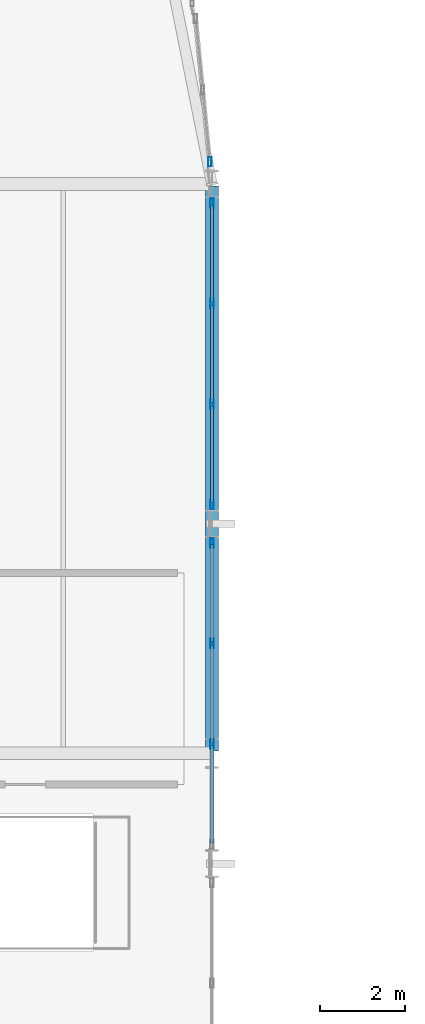
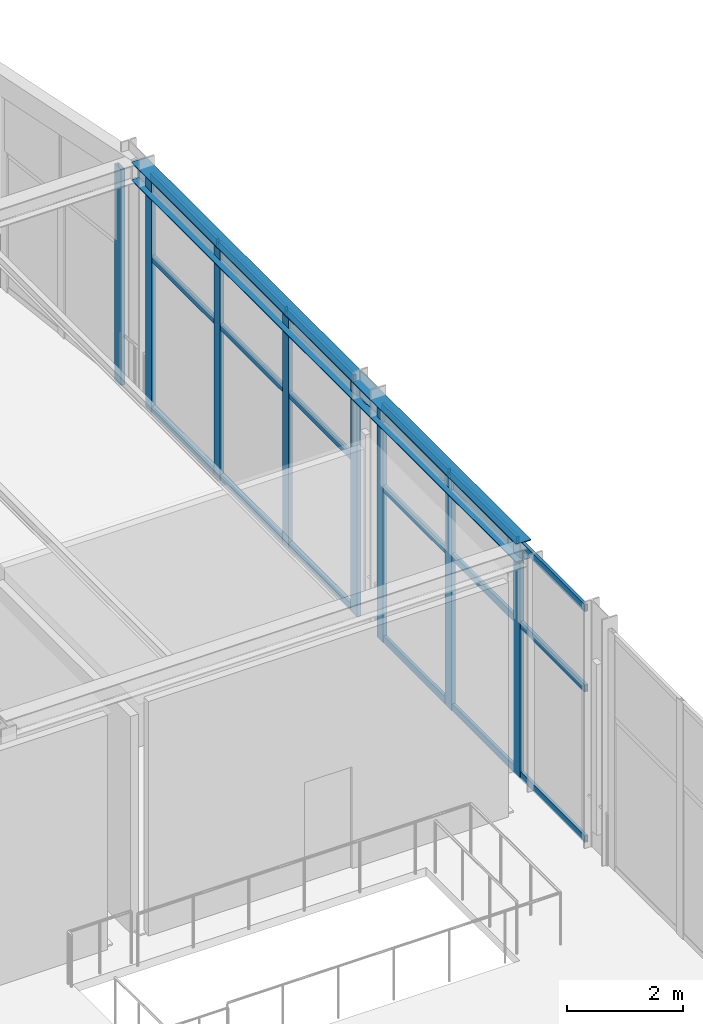
# One storey, part 84 of 195: 26 members, 1 beam, 3 elements without a shape of their own.
"""IFC4 building model written with IfcOpenShell, lengths in metres."""

from ifc_helpers import new_model, si_unit, direction, frame, origin, origin_2d, place, context, subcontext, project, spatial, hollow_rectangle, i_section, extrude, material, layer, layer_set, material_profile, profile_set, type_object, element, aggregate, save


model = new_model("IFC4")

# Units and contexts
model_context = context("Model", 3, precision=1e-05, world=origin(), true_north=direction((0.0, 1.0)))
body_context = subcontext(model_context, "Body", "Model", "MODEL_VIEW")
ifc_project = project(units=[si_unit("LENGTHUNIT", "METRE"), si_unit("AREAUNIT", "SQUARE_METRE"), si_unit("VOLUMEUNIT", "CUBIC_METRE"), si_unit("PLANEANGLEUNIT", "RADIAN"), si_unit("MASSUNIT", "GRAM", prefix="KILO")], contexts=[model_context])

# Site, building, storey
site_placement = place(None, origin())
site = spatial("IfcSite", under=ifc_project, at=site_placement, CompositionType="ELEMENT")
building_placement = place(site_placement, origin())
building = spatial("IfcBuilding", under=site, at=building_placement, Name="Marlcrest Central Station", CompositionType="ELEMENT")
storey_placement = place(building_placement, frame((0.0, 0.0, 9.800048828125)))
storey = spatial("IfcBuildingStorey", under=building, at=storey_placement, Name="L02", CompositionType="ELEMENT", Elevation=9.800048828125)

# Beam
ifc_material_1 = material(Name="Steel S355", Category="steel")
ifc_material_profile_1 = material_profile(ifc_material_1, i_section(OverallWidth=0.300048828125, OverallDepth=0.389892578125, WebThickness=0.010986328125, FlangeThickness=0.01904296875, FilletRadius=0.027099609375, at=origin_2d()), Name="HEA 400")
ifc_profile_set_1 = profile_set([ifc_material_profile_1], Name="Steel S355")
beam_type = type_object("IfcBeamType", Name="BM-08", PredefinedType="BEAM", material=ifc_profile_set_1)
beam_placement = place(storey_placement, frame((129.0, 97.14990234375, 4.800048828125), z_axis=(0.0, 1.0, 0.0), x_axis=(-1.0, 0.0, 0.0)))
element("IfcBeam", 1, at=beam_placement, inside=storey, type_object=beam_type, Name="bm-BM-08-L02-01508", PredefinedType="BEAM", context=body_context, shape_type="SweptSolid", body=[
    extrude(i_section(OverallWidth=0.300048828125, OverallDepth=0.389892578125, WebThickness=0.010986328125, FlangeThickness=0.01904296875, FilletRadius=0.027099609375, at=origin_2d()), origin(), (0.0, 0.0, 1.0), 13.300048828125),
])

# Curtain wall, member
ifc_material_2 = material(Name="Anodised aluminium and hurricane laminated glass", Category="aluminium")
ifc_layer = layer(ifc_material_2, 0.219970703125, Name="CW-U1")
ifc_layer_set = layer_set([ifc_layer], Name="Anodised aluminium and hurricane laminated glass")
curtain_wall_type = type_object("IfcCurtainWallType", Name="CW-U1", PredefinedType="USERDEFINED", material=ifc_layer_set)
curtain_wall_1_placement = place(storey_placement, origin())
curtain_wall_1 = element("IfcCurtainWall", 2, at=curtain_wall_1_placement, inside=storey, type_object=curtain_wall_type, Name="cw-L02-0082", ObjectType="UNITISED_CURTAIN_WALL", PredefinedType="USERDEFINED")
ifc_material_3 = material(Name="Anodised aluminium 6063-T6", Category="aluminium")
ifc_material_profile_2 = material_profile(ifc_material_3, hollow_rectangle(XDim=0.080078125, YDim=0.219970703125, WallThickness=0.006103515625, at=origin_2d()), Name="AA-RHS 220x80x6")
ifc_profile_set_2 = profile_set([ifc_material_profile_2], Name="Anodised aluminium 6063-T6")
member_type_1 = type_object("IfcMemberType", Name="ML-01", PredefinedType="MULLION", material=ifc_profile_set_2)
member_1_placement = place(storey_placement, frame((128.948486328125, 111.023193359375, -0.030029296875), z_axis=(0.0, 0.0, 1.0), x_axis=(1.0, 0.0, 0.0)))
member_1 = element("IfcMember", 3, at=member_1_placement, type_object=member_type_1, Name="cw-L02-0082-ml-2", PredefinedType="MULLION", context=body_context, shape_type="SweptSolid", body=[
    extrude(hollow_rectangle(XDim=0.080078125, YDim=0.219970703125, WallThickness=0.006103515625, at=origin_2d()), origin(), (0.0, 0.0, 1.0), 4.56005859375),
])
aggregate(curtain_wall_1, [member_1])

# Curtain wall, members
curtain_wall_2_placement = place(storey_placement, origin())
curtain_wall_2 = element("IfcCurtainWall", 4, at=curtain_wall_2_placement, inside=storey, type_object=curtain_wall_type, Name="cw-L02-0136", ObjectType="UNITISED_CURTAIN_WALL", PredefinedType="USERDEFINED")
member_2_placement = place(storey_placement, frame((129.0, 102.050048828125, -0.030029296875), z_axis=(0.0, 0.0, 1.0), x_axis=(1.0, 0.0, 0.0)))
member_2 = element("IfcMember", 5, at=member_2_placement, type_object=member_type_1, Name="cw-L02-0136-ml-0", PredefinedType="MULLION", context=body_context, shape_type="SweptSolid", body=[
    extrude(hollow_rectangle(XDim=0.080078125, YDim=0.219970703125, WallThickness=0.006103515625, at=origin_2d()), origin(), (0.0, 0.0, 1.0), 5.010009765625),
])
member_3_placement = place(storey_placement, frame((129.0, 99.683349609375, -0.030029296875), z_axis=(0.0, 0.0, 1.0), x_axis=(1.0, 0.0, 0.0)))
member_3 = element("IfcMember", 6, at=member_3_placement, type_object=member_type_1, Name="cw-L02-0136-ml-1", PredefinedType="MULLION", context=body_context, shape_type="SweptSolid", body=[
    extrude(hollow_rectangle(XDim=0.080078125, YDim=0.219970703125, WallThickness=0.006103515625, at=origin_2d()), origin(), (0.0, 0.0, 1.0), 5.010009765625),
])
member_4_placement = place(storey_placement, frame((129.0, 97.316650390625, -0.030029296875), z_axis=(0.0, 0.0, 1.0), x_axis=(1.0, 0.0, 0.0)))
member_4 = element("IfcMember", 7, at=member_4_placement, type_object=member_type_1, Name="cw-L02-0136-ml-2", PredefinedType="MULLION", context=body_context, shape_type="SweptSolid", body=[
    extrude(hollow_rectangle(XDim=0.080078125, YDim=0.219970703125, WallThickness=0.006103515625, at=origin_2d()), origin(), (0.0, 0.0, 1.0), 5.010009765625),
])

curtain_wall_3_placement = place(storey_placement, origin())
curtain_wall_3 = element("IfcCurtainWall", 8, at=curtain_wall_3_placement, inside=storey, type_object=curtain_wall_type, Name="cw-L02-0140", ObjectType="UNITISED_CURTAIN_WALL", PredefinedType="USERDEFINED")
member_5_placement = place(storey_placement, frame((129.0, 110.050048828125, -0.030029296875), z_axis=(0.0, 0.0, 1.0), x_axis=(1.0, 0.0, 0.0)))
member_5 = element("IfcMember", 9, at=member_5_placement, type_object=member_type_1, Name="cw-L02-0140-ml-0", PredefinedType="MULLION", context=body_context, shape_type="SweptSolid", body=[
    extrude(hollow_rectangle(XDim=0.080078125, YDim=0.219970703125, WallThickness=0.006103515625, at=origin_2d()), origin(), (0.0, 0.0, 1.0), 5.010009765625),
])
member_6_placement = place(storey_placement, frame((129.0, 107.683349609375, -0.030029296875), z_axis=(0.0, 0.0, 1.0), x_axis=(1.0, 0.0, 0.0)))
member_6 = element("IfcMember", 10, at=member_6_placement, type_object=member_type_1, Name="cw-L02-0140-ml-1", PredefinedType="MULLION", context=body_context, shape_type="SweptSolid", body=[
    extrude(hollow_rectangle(XDim=0.080078125, YDim=0.219970703125, WallThickness=0.006103515625, at=origin_2d()), origin(), (0.0, 0.0, 1.0), 5.010009765625),
])
member_7_placement = place(storey_placement, frame((129.0, 105.316650390625, -0.030029296875), z_axis=(0.0, 0.0, 1.0), x_axis=(1.0, 0.0, 0.0)))
member_7 = element("IfcMember", 11, at=member_7_placement, type_object=member_type_1, Name="cw-L02-0140-ml-2", PredefinedType="MULLION", context=body_context, shape_type="SweptSolid", body=[
    extrude(hollow_rectangle(XDim=0.080078125, YDim=0.219970703125, WallThickness=0.006103515625, at=origin_2d()), origin(), (0.0, 0.0, 1.0), 5.010009765625),
])
member_8_placement = place(storey_placement, frame((129.0, 102.949951171875, -0.030029296875), z_axis=(0.0, 0.0, 1.0), x_axis=(1.0, 0.0, 0.0)))
member_8 = element("IfcMember", 12, at=member_8_placement, type_object=member_type_1, Name="cw-L02-0140-ml-3", PredefinedType="MULLION", context=body_context, shape_type="SweptSolid", body=[
    extrude(hollow_rectangle(XDim=0.080078125, YDim=0.219970703125, WallThickness=0.006103515625, at=origin_2d()), origin(), (0.0, 0.0, 1.0), 5.010009765625),
])

# Member
ifc_material_profile_3 = material_profile(ifc_material_3, hollow_rectangle(XDim=0.06005859375, YDim=0.14990234375, WallThickness=0.00390625, at=origin_2d()), Name="AA-RHS 150x60x4")
ifc_profile_set_3 = profile_set([ifc_material_profile_3], Name="Anodised aluminium 6063-T6")
member_type_2 = type_object("IfcMemberType", Name="TR-01", PredefinedType="USERDEFINED", material=ifc_profile_set_3)
member_9_placement = place(storey_placement, frame((129.0, 102.011962890625, 0.0400390625), z_axis=(0.0, -1.0, 0.0), x_axis=(1.0, 0.0, 0.0)))
member_9 = element("IfcMember", 13, at=member_9_placement, type_object=member_type_2, Name="cw-L02-0136-tr-0-sill", ObjectType="TRANSOM", PredefinedType="USERDEFINED", context=body_context, shape_type="SweptSolid", body=[
    extrude(hollow_rectangle(XDim=0.06005859375, YDim=0.14990234375, WallThickness=0.00390625, at=origin_2d()), origin(), (0.0, 0.0, 1.0), 2.290771484375),
])

member_10_placement = place(storey_placement, frame((129.0, 102.011962890625, 3.218017578125), z_axis=(0.0, -1.0, 0.0), x_axis=(1.0, 0.0, 0.0)))
member_10 = element("IfcMember", 14, at=member_10_placement, type_object=member_type_2, Name="cw-L02-0136-tr-0-mid", ObjectType="TRANSOM", PredefinedType="USERDEFINED", context=body_context, shape_type="SweptSolid", body=[
    extrude(hollow_rectangle(XDim=0.06005859375, YDim=0.14990234375, WallThickness=0.00390625, at=origin_2d()), origin(), (0.0, 0.0, 1.0), 2.290771484375),
])

member_11_placement = place(storey_placement, frame((129.0, 102.011962890625, 4.909912109375), z_axis=(0.0, -1.0, 0.0), x_axis=(1.0, 0.0, 0.0)))
member_11 = element("IfcMember", 15, at=member_11_placement, type_object=member_type_2, Name="cw-L02-0136-tr-0-head", ObjectType="TRANSOM", PredefinedType="USERDEFINED", context=body_context, shape_type="SweptSolid", body=[
    extrude(hollow_rectangle(XDim=0.06005859375, YDim=0.14990234375, WallThickness=0.00390625, at=origin_2d()), origin(), (0.0, 0.0, 1.0), 2.290771484375),
])

member_12_placement = place(storey_placement, frame((129.0, 99.645263671875, 0.0400390625), z_axis=(0.0, -1.0, 0.0), x_axis=(1.0, 0.0, 0.0)))
member_12 = element("IfcMember", 16, at=member_12_placement, type_object=member_type_2, Name="cw-L02-0136-tr-1-sill", ObjectType="TRANSOM", PredefinedType="USERDEFINED", context=body_context, shape_type="SweptSolid", body=[
    extrude(hollow_rectangle(XDim=0.06005859375, YDim=0.14990234375, WallThickness=0.00390625, at=origin_2d()), origin(), (0.0, 0.0, 1.0), 2.29052734375),
])

member_13_placement = place(storey_placement, frame((129.0, 99.645263671875, 3.218017578125), z_axis=(0.0, -1.0, 0.0), x_axis=(1.0, 0.0, 0.0)))
member_13 = element("IfcMember", 17, at=member_13_placement, type_object=member_type_2, Name="cw-L02-0136-tr-1-mid", ObjectType="TRANSOM", PredefinedType="USERDEFINED", context=body_context, shape_type="SweptSolid", body=[
    extrude(hollow_rectangle(XDim=0.06005859375, YDim=0.14990234375, WallThickness=0.00390625, at=origin_2d()), origin(), (0.0, 0.0, 1.0), 2.29052734375),
])

member_14_placement = place(storey_placement, frame((129.0, 99.645263671875, 4.909912109375), z_axis=(0.0, -1.0, 0.0), x_axis=(1.0, 0.0, 0.0)))
member_14 = element("IfcMember", 18, at=member_14_placement, type_object=member_type_2, Name="cw-L02-0136-tr-1-head", ObjectType="TRANSOM", PredefinedType="USERDEFINED", context=body_context, shape_type="SweptSolid", body=[
    extrude(hollow_rectangle(XDim=0.06005859375, YDim=0.14990234375, WallThickness=0.00390625, at=origin_2d()), origin(), (0.0, 0.0, 1.0), 2.29052734375),
])

member_15_placement = place(storey_placement, frame((129.0, 97.27880859375, 0.0400390625), z_axis=(0.0, -1.0, 0.0), x_axis=(1.0, 0.0, 0.0)))
member_15 = element("IfcMember", 19, at=member_15_placement, type_object=member_type_2, Name="cw-L02-0136-tr-2-sill", ObjectType="TRANSOM", PredefinedType="USERDEFINED", context=body_context, shape_type="SweptSolid", body=[
    extrude(hollow_rectangle(XDim=0.06005859375, YDim=0.14990234375, WallThickness=0.00390625, at=origin_2d()), origin(), (0.0, 0.0, 1.0), 2.290771484375),
])

member_16_placement = place(storey_placement, frame((129.0, 97.27880859375, 3.218017578125), z_axis=(0.0, -1.0, 0.0), x_axis=(1.0, 0.0, 0.0)))
member_16 = element("IfcMember", 20, at=member_16_placement, type_object=member_type_2, Name="cw-L02-0136-tr-2-mid", ObjectType="TRANSOM", PredefinedType="USERDEFINED", context=body_context, shape_type="SweptSolid", body=[
    extrude(hollow_rectangle(XDim=0.06005859375, YDim=0.14990234375, WallThickness=0.00390625, at=origin_2d()), origin(), (0.0, 0.0, 1.0), 2.290771484375),
])

member_17_placement = place(storey_placement, frame((129.0, 97.27880859375, 4.909912109375), z_axis=(0.0, -1.0, 0.0), x_axis=(1.0, 0.0, 0.0)))
member_17 = element("IfcMember", 21, at=member_17_placement, type_object=member_type_2, Name="cw-L02-0136-tr-2-head", ObjectType="TRANSOM", PredefinedType="USERDEFINED", context=body_context, shape_type="SweptSolid", body=[
    extrude(hollow_rectangle(XDim=0.06005859375, YDim=0.14990234375, WallThickness=0.00390625, at=origin_2d()), origin(), (0.0, 0.0, 1.0), 2.290771484375),
])

aggregate(curtain_wall_2, [member_2, member_3, member_4, member_9, member_10, member_11, member_12, member_13, member_14, member_15, member_16, member_17])

member_18_placement = place(storey_placement, frame((129.0, 110.011962890625, 0.0400390625), z_axis=(0.0, -1.0, 0.0), x_axis=(1.0, 0.0, 0.0)))
member_18 = element("IfcMember", 22, at=member_18_placement, type_object=member_type_2, Name="cw-L02-0140-tr-0-sill", ObjectType="TRANSOM", PredefinedType="USERDEFINED", context=body_context, shape_type="SweptSolid", body=[
    extrude(hollow_rectangle(XDim=0.06005859375, YDim=0.14990234375, WallThickness=0.00390625, at=origin_2d()), origin(), (0.0, 0.0, 1.0), 2.290771484375),
])

member_19_placement = place(storey_placement, frame((129.0, 110.011962890625, 3.218017578125), z_axis=(0.0, -1.0, 0.0), x_axis=(1.0, 0.0, 0.0)))
member_19 = element("IfcMember", 23, at=member_19_placement, type_object=member_type_2, Name="cw-L02-0140-tr-0-mid", ObjectType="TRANSOM", PredefinedType="USERDEFINED", context=body_context, shape_type="SweptSolid", body=[
    extrude(hollow_rectangle(XDim=0.06005859375, YDim=0.14990234375, WallThickness=0.00390625, at=origin_2d()), origin(), (0.0, 0.0, 1.0), 2.290771484375),
])

member_20_placement = place(storey_placement, frame((129.0, 110.011962890625, 4.909912109375), z_axis=(0.0, -1.0, 0.0), x_axis=(1.0, 0.0, 0.0)))
member_20 = element("IfcMember", 24, at=member_20_placement, type_object=member_type_2, Name="cw-L02-0140-tr-0-head", ObjectType="TRANSOM", PredefinedType="USERDEFINED", context=body_context, shape_type="SweptSolid", body=[
    extrude(hollow_rectangle(XDim=0.06005859375, YDim=0.14990234375, WallThickness=0.00390625, at=origin_2d()), origin(), (0.0, 0.0, 1.0), 2.290771484375),
])

member_21_placement = place(storey_placement, frame((129.0, 107.645263671875, 0.0400390625), z_axis=(0.0, -1.0, 0.0), x_axis=(1.0, 0.0, 0.0)))
member_21 = element("IfcMember", 25, at=member_21_placement, type_object=member_type_2, Name="cw-L02-0140-tr-1-sill", ObjectType="TRANSOM", PredefinedType="USERDEFINED", context=body_context, shape_type="SweptSolid", body=[
    extrude(hollow_rectangle(XDim=0.06005859375, YDim=0.14990234375, WallThickness=0.00390625, at=origin_2d()), origin(), (0.0, 0.0, 1.0), 2.29052734375),
])

member_22_placement = place(storey_placement, frame((129.0, 107.645263671875, 3.218017578125), z_axis=(0.0, -1.0, 0.0), x_axis=(1.0, 0.0, 0.0)))
member_22 = element("IfcMember", 26, at=member_22_placement, type_object=member_type_2, Name="cw-L02-0140-tr-1-mid", ObjectType="TRANSOM", PredefinedType="USERDEFINED", context=body_context, shape_type="SweptSolid", body=[
    extrude(hollow_rectangle(XDim=0.06005859375, YDim=0.14990234375, WallThickness=0.00390625, at=origin_2d()), origin(), (0.0, 0.0, 1.0), 2.29052734375),
])

member_23_placement = place(storey_placement, frame((129.0, 107.645263671875, 4.909912109375), z_axis=(0.0, -1.0, 0.0), x_axis=(1.0, 0.0, 0.0)))
member_23 = element("IfcMember", 27, at=member_23_placement, type_object=member_type_2, Name="cw-L02-0140-tr-1-head", ObjectType="TRANSOM", PredefinedType="USERDEFINED", context=body_context, shape_type="SweptSolid", body=[
    extrude(hollow_rectangle(XDim=0.06005859375, YDim=0.14990234375, WallThickness=0.00390625, at=origin_2d()), origin(), (0.0, 0.0, 1.0), 2.29052734375),
])

member_24_placement = place(storey_placement, frame((129.0, 105.27880859375, 0.0400390625), z_axis=(0.0, -1.0, 0.0), x_axis=(1.0, 0.0, 0.0)))
member_24 = element("IfcMember", 28, at=member_24_placement, type_object=member_type_2, Name="cw-L02-0140-tr-2-sill", ObjectType="TRANSOM", PredefinedType="USERDEFINED", context=body_context, shape_type="SweptSolid", body=[
    extrude(hollow_rectangle(XDim=0.06005859375, YDim=0.14990234375, WallThickness=0.00390625, at=origin_2d()), origin(), (0.0, 0.0, 1.0), 2.290771484375),
])

member_25_placement = place(storey_placement, frame((129.0, 105.27880859375, 3.218017578125), z_axis=(0.0, -1.0, 0.0), x_axis=(1.0, 0.0, 0.0)))
member_25 = element("IfcMember", 29, at=member_25_placement, type_object=member_type_2, Name="cw-L02-0140-tr-2-mid", ObjectType="TRANSOM", PredefinedType="USERDEFINED", context=body_context, shape_type="SweptSolid", body=[
    extrude(hollow_rectangle(XDim=0.06005859375, YDim=0.14990234375, WallThickness=0.00390625, at=origin_2d()), origin(), (0.0, 0.0, 1.0), 2.290771484375),
])

member_26_placement = place(storey_placement, frame((129.0, 105.27880859375, 4.909912109375), z_axis=(0.0, -1.0, 0.0), x_axis=(1.0, 0.0, 0.0)))
member_26 = element("IfcMember", 30, at=member_26_placement, type_object=member_type_2, Name="cw-L02-0140-tr-2-head", ObjectType="TRANSOM", PredefinedType="USERDEFINED", context=body_context, shape_type="SweptSolid", body=[
    extrude(hollow_rectangle(XDim=0.06005859375, YDim=0.14990234375, WallThickness=0.00390625, at=origin_2d()), origin(), (0.0, 0.0, 1.0), 2.290771484375),
])

aggregate(curtain_wall_3, [member_5, member_6, member_7, member_8, member_18, member_19, member_20, member_21, member_22, member_23, member_24, member_25, member_26])

save(model, "model.ifc")
